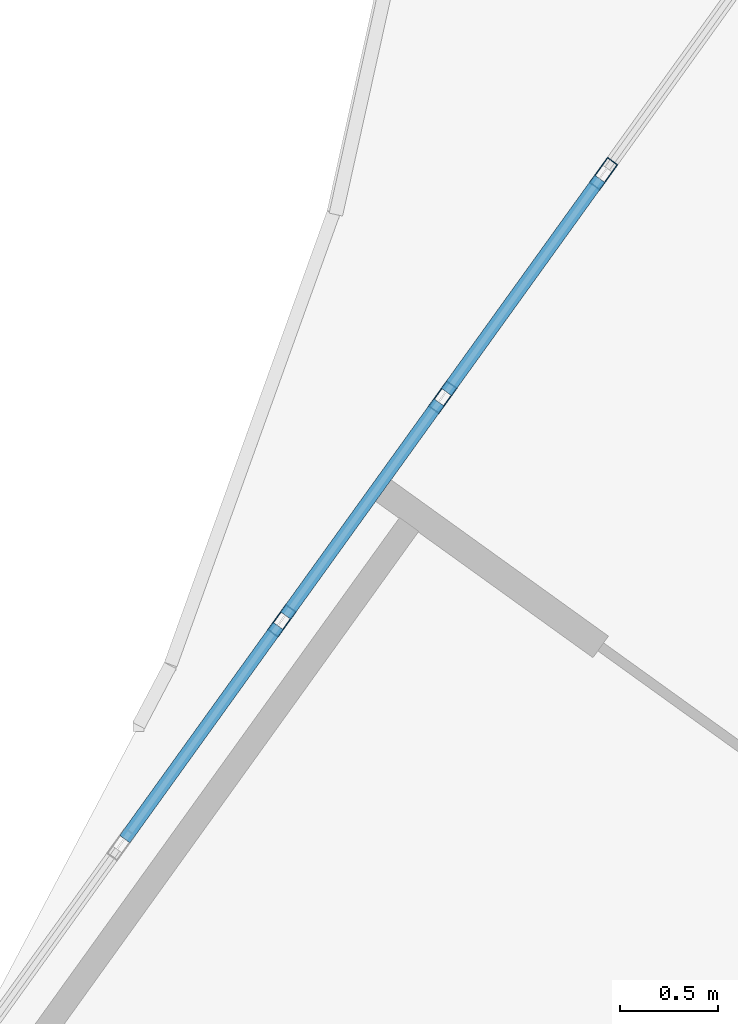
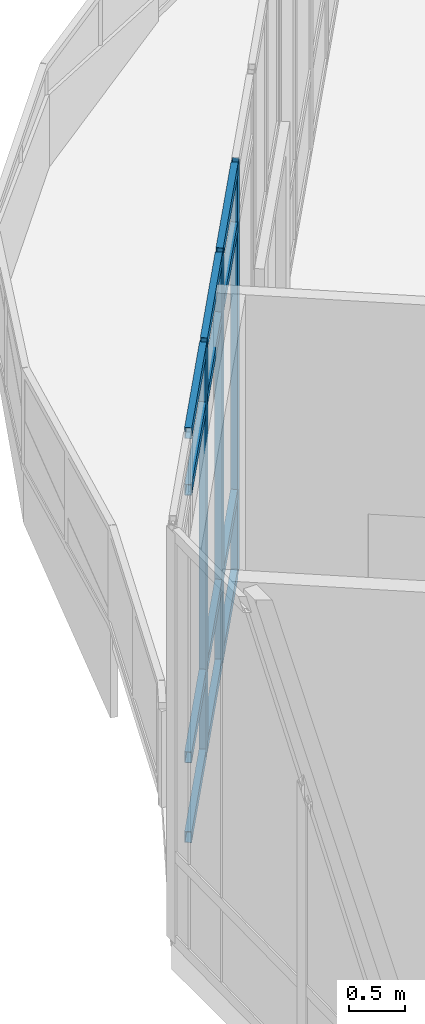
# One storey, part 17 of 155: 15 members, 1 element without a shape of its own.
"""IFC4 building model written with IfcOpenShell, lengths in metres."""

from ifc_helpers import new_model, si_unit, direction, frame, origin, origin_2d, place, context, subcontext, project, spatial, hollow_rectangle, extrude, material, material_profile, profile_set, type_object, element, aggregate, save


model = new_model("IFC4")

# Units and contexts
model_context = context("Model", 3, precision=1e-05, world=origin(), true_north=direction((0.0, 1.0)))
body_context = subcontext(model_context, "Body", "Model", "MODEL_VIEW")
ifc_project = project(units=[si_unit("LENGTHUNIT", "METRE"), si_unit("AREAUNIT", "SQUARE_METRE"), si_unit("VOLUMEUNIT", "CUBIC_METRE"), si_unit("PLANEANGLEUNIT", "RADIAN"), si_unit("MASSUNIT", "GRAM", prefix="KILO")], contexts=[model_context])

# Site, building, storey
site_placement = place(None, origin())
site = spatial("IfcSite", under=ifc_project, at=site_placement, CompositionType="ELEMENT")
building_placement = place(site_placement, origin())
building = spatial("IfcBuilding", under=site, at=building_placement, Name="Selatvlak General Hospital", CompositionType="ELEMENT")
storey_placement = place(building_placement, frame((0.0, 0.0, 10.199951171875)))
storey = spatial("IfcBuildingStorey", under=building, at=storey_placement, Name="L02", CompositionType="ELEMENT", Elevation=10.199951171875)

# Curtain wall, members
ifc_material_1 = material(Name="Solar-control Low-E double glazing", Category="glass")
curtain_wall_type = type_object("IfcCurtainWallType", Name="CW-CW-01", PredefinedType="USERDEFINED", material=ifc_material_1)
curtain_wall_placement = place(storey_placement, origin())
curtain_wall = element("IfcCurtainWall", 1, at=curtain_wall_placement, inside=storey, type_object=curtain_wall_type, Name="Glazed facade curtain wall CW-L02-0319", ObjectType="UNITISED CURTAIN WALL", PredefinedType="USERDEFINED")
ifc_material_2 = material(Name="Dark anodised aluminium mullion", Category="aluminium")
ifc_material_profile_1 = material_profile(ifc_material_2, hollow_rectangle(XDim=0.06494140625, YDim=0.159912109375, WallThickness=0.00390625, at=origin_2d()), Name="AL-MUL 65x160x4")
ifc_profile_set_1 = profile_set([ifc_material_profile_1], Name="Dark anodised aluminium mullion")
member_type_1 = type_object("IfcMemberType", Name="CWM-01", PredefinedType="MULLION", material=ifc_profile_set_1)
member_1_placement = place(storey_placement, frame((24.47802734375, 39.239990234375, 0.0), z_axis=(0.0, 0.0, 1.0), x_axis=(-0.81180439095, 0.583929474196, 0.0)))
member_1 = element("IfcMember", 2, at=member_1_placement, type_object=member_type_1, Name="CW-01 mullion 3", PredefinedType="MULLION", context=body_context, shape_type="SweptSolid", body=[
    extrude(hollow_rectangle(XDim=0.06494140625, YDim=0.159912109375, WallThickness=0.00390625, at=origin_2d()), origin(), (0.0, 0.0, 1.0), 4.4599609375),
])
member_2_placement = place(storey_placement, frame((25.298095703125, 40.3798828125, 0.0), z_axis=(0.0, 0.0, 1.0), x_axis=(-0.81180439095, 0.583929474196, 0.0)))
member_2 = element("IfcMember", 3, at=member_2_placement, type_object=member_type_1, Name="CW-01 mullion 4", PredefinedType="MULLION", context=body_context, shape_type="SweptSolid", body=[
    extrude(hollow_rectangle(XDim=0.06494140625, YDim=0.159912109375, WallThickness=0.00390625, at=origin_2d()), origin(), (0.0, 0.0, 1.0), 4.4599609375),
])
member_3_placement = place(storey_placement, frame((26.117919921875, 41.52001953125, 0.0), z_axis=(0.0, 0.0, 1.0), x_axis=(-0.81180439095, 0.583929474196, 0.0)))
member_3 = element("IfcMember", 4, at=member_3_placement, type_object=member_type_1, Name="CW-01 mullion 5", PredefinedType="MULLION", context=body_context, shape_type="SweptSolid", body=[
    extrude(hollow_rectangle(XDim=0.06494140625, YDim=0.159912109375, WallThickness=0.00390625, at=origin_2d()), origin(), (0.0, 0.0, 1.0), 4.4599609375),
])
ifc_material_profile_2 = material_profile(ifc_material_2, hollow_rectangle(XDim=0.06494140625, YDim=0.1201171875, WallThickness=0.00390625, at=origin_2d()), Name="AL-TRN 65x120x4")
ifc_profile_set_2 = profile_set([ifc_material_profile_2], Name="Dark anodised aluminium mullion")
member_type_2 = type_object("IfcMemberType", Name="CWT-01", PredefinedType="USERDEFINED", material=ifc_profile_set_2)
member_4_placement = place(storey_placement, frame((23.677001953125, 38.12646484375, 0.032470703125), z_axis=(0.583925258596, 0.811807423206, 0.0), x_axis=(-0.811807423206, 0.583925258596, 0.0)))
member_4 = element("IfcMember", 5, at=member_4_placement, type_object=member_type_2, Name="CW-01 transom 2.1", ObjectType="TRANSOM", PredefinedType="USERDEFINED", context=body_context, shape_type="SweptSolid", body=[
    extrude(hollow_rectangle(XDim=0.06494140625, YDim=0.1201171875, WallThickness=0.00390625, at=origin_2d()), origin(), (0.0, 0.0, 1.0), 1.339111328125),
])
member_5_placement = place(storey_placement, frame((23.677001953125, 38.12646484375, 0.900146484375), z_axis=(0.583925258596, 0.811807423206, 0.0), x_axis=(-0.811807423206, 0.583925258596, 0.0)))
member_5 = element("IfcMember", 6, at=member_5_placement, type_object=member_type_2, Name="CW-01 transom 2.2", ObjectType="TRANSOM", PredefinedType="USERDEFINED", context=body_context, shape_type="SweptSolid", body=[
    extrude(hollow_rectangle(XDim=0.06494140625, YDim=0.1201171875, WallThickness=0.00390625, at=origin_2d()), origin(), (0.0, 0.0, 1.0), 1.339111328125),
])
member_6_placement = place(storey_placement, frame((23.677001953125, 38.12646484375, 3.81005859375), z_axis=(0.583925258596, 0.811807423206, 0.0), x_axis=(-0.811807423206, 0.583925258596, 0.0)))
member_6 = element("IfcMember", 7, at=member_6_placement, type_object=member_type_2, Name="CW-01 transom 2.3", ObjectType="TRANSOM", PredefinedType="USERDEFINED", context=body_context, shape_type="SweptSolid", body=[
    extrude(hollow_rectangle(XDim=0.06494140625, YDim=0.1201171875, WallThickness=0.00390625, at=origin_2d()), origin(), (0.0, 0.0, 1.0), 1.339111328125),
])
member_7_placement = place(storey_placement, frame((23.677001953125, 38.12646484375, 4.427490234375), z_axis=(0.583925258596, 0.811807423206, 0.0), x_axis=(-0.811807423206, 0.583925258596, 0.0)))
member_7 = element("IfcMember", 8, at=member_7_placement, type_object=member_type_2, Name="CW-01 transom 2.4", ObjectType="TRANSOM", PredefinedType="USERDEFINED", context=body_context, shape_type="SweptSolid", body=[
    extrude(hollow_rectangle(XDim=0.06494140625, YDim=0.1201171875, WallThickness=0.00390625, at=origin_2d()), origin(), (0.0, 0.0, 1.0), 1.339111328125),
])
member_8_placement = place(storey_placement, frame((24.4970703125, 39.266357421875, 0.032470703125), z_axis=(0.583925258596, 0.811807423206, 0.0), x_axis=(-0.811807423206, 0.583925258596, 0.0)))
member_8 = element("IfcMember", 9, at=member_8_placement, type_object=member_type_2, Name="CW-01 transom 3.1", ObjectType="TRANSOM", PredefinedType="USERDEFINED", context=body_context, shape_type="SweptSolid", body=[
    extrude(hollow_rectangle(XDim=0.06494140625, YDim=0.1201171875, WallThickness=0.00390625, at=origin_2d()), origin(), (0.0, 0.0, 1.0), 1.339111328125),
])
member_9_placement = place(storey_placement, frame((24.4970703125, 39.266357421875, 0.900146484375), z_axis=(0.583925258596, 0.811807423206, 0.0), x_axis=(-0.811807423206, 0.583925258596, 0.0)))
member_9 = element("IfcMember", 10, at=member_9_placement, type_object=member_type_2, Name="CW-01 transom 3.2", ObjectType="TRANSOM", PredefinedType="USERDEFINED", context=body_context, shape_type="SweptSolid", body=[
    extrude(hollow_rectangle(XDim=0.06494140625, YDim=0.1201171875, WallThickness=0.00390625, at=origin_2d()), origin(), (0.0, 0.0, 1.0), 1.339111328125),
])
member_10_placement = place(storey_placement, frame((24.4970703125, 39.266357421875, 3.81005859375), z_axis=(0.583925258596, 0.811807423206, 0.0), x_axis=(-0.811807423206, 0.583925258596, 0.0)))
member_10 = element("IfcMember", 11, at=member_10_placement, type_object=member_type_2, Name="CW-01 transom 3.3", ObjectType="TRANSOM", PredefinedType="USERDEFINED", context=body_context, shape_type="SweptSolid", body=[
    extrude(hollow_rectangle(XDim=0.06494140625, YDim=0.1201171875, WallThickness=0.00390625, at=origin_2d()), origin(), (0.0, 0.0, 1.0), 1.339111328125),
])
member_11_placement = place(storey_placement, frame((24.4970703125, 39.266357421875, 4.427490234375), z_axis=(0.583925258596, 0.811807423206, 0.0), x_axis=(-0.811807423206, 0.583925258596, 0.0)))
member_11 = element("IfcMember", 12, at=member_11_placement, type_object=member_type_2, Name="CW-01 transom 3.4", ObjectType="TRANSOM", PredefinedType="USERDEFINED", context=body_context, shape_type="SweptSolid", body=[
    extrude(hollow_rectangle(XDim=0.06494140625, YDim=0.1201171875, WallThickness=0.00390625, at=origin_2d()), origin(), (0.0, 0.0, 1.0), 1.339111328125),
])
member_12_placement = place(storey_placement, frame((25.31689453125, 40.406494140625, 0.032470703125), z_axis=(0.584045384595, 0.811721004245, 0.0), x_axis=(-0.811721004245, 0.584045384595, 0.0)))
member_12 = element("IfcMember", 13, at=member_12_placement, type_object=member_type_2, Name="CW-01 transom 4.1", ObjectType="TRANSOM", PredefinedType="USERDEFINED", context=body_context, shape_type="SweptSolid", body=[
    extrude(hollow_rectangle(XDim=0.06494140625, YDim=0.1201171875, WallThickness=0.00390625, at=origin_2d()), origin(), (0.0, 0.0, 1.0), 1.33935546875),
])
member_13_placement = place(storey_placement, frame((25.31689453125, 40.406494140625, 0.900146484375), z_axis=(0.584045384595, 0.811721004245, 0.0), x_axis=(-0.811721004245, 0.584045384595, 0.0)))
member_13 = element("IfcMember", 14, at=member_13_placement, type_object=member_type_2, Name="CW-01 transom 4.2", ObjectType="TRANSOM", PredefinedType="USERDEFINED", context=body_context, shape_type="SweptSolid", body=[
    extrude(hollow_rectangle(XDim=0.06494140625, YDim=0.1201171875, WallThickness=0.00390625, at=origin_2d()), origin(), (0.0, 0.0, 1.0), 1.33935546875),
])
member_14_placement = place(storey_placement, frame((25.31689453125, 40.406494140625, 3.81005859375), z_axis=(0.584045384595, 0.811721004245, 0.0), x_axis=(-0.811721004245, 0.584045384595, 0.0)))
member_14 = element("IfcMember", 15, at=member_14_placement, type_object=member_type_2, Name="CW-01 transom 4.3", ObjectType="TRANSOM", PredefinedType="USERDEFINED", context=body_context, shape_type="SweptSolid", body=[
    extrude(hollow_rectangle(XDim=0.06494140625, YDim=0.1201171875, WallThickness=0.00390625, at=origin_2d()), origin(), (0.0, 0.0, 1.0), 1.33935546875),
])
member_15_placement = place(storey_placement, frame((25.31689453125, 40.406494140625, 4.427490234375), z_axis=(0.584045384595, 0.811721004245, 0.0), x_axis=(-0.811721004245, 0.584045384595, 0.0)))
member_15 = element("IfcMember", 16, at=member_15_placement, type_object=member_type_2, Name="CW-01 transom 4.4", ObjectType="TRANSOM", PredefinedType="USERDEFINED", context=body_context, shape_type="SweptSolid", body=[
    extrude(hollow_rectangle(XDim=0.06494140625, YDim=0.1201171875, WallThickness=0.00390625, at=origin_2d()), origin(), (0.0, 0.0, 1.0), 1.33935546875),
])
aggregate(curtain_wall, [member_1, member_2, member_3, member_4, member_5, member_6, member_7, member_8, member_9, member_10, member_11, member_12, member_13, member_14, member_15])

save(model, "model.ifc")
